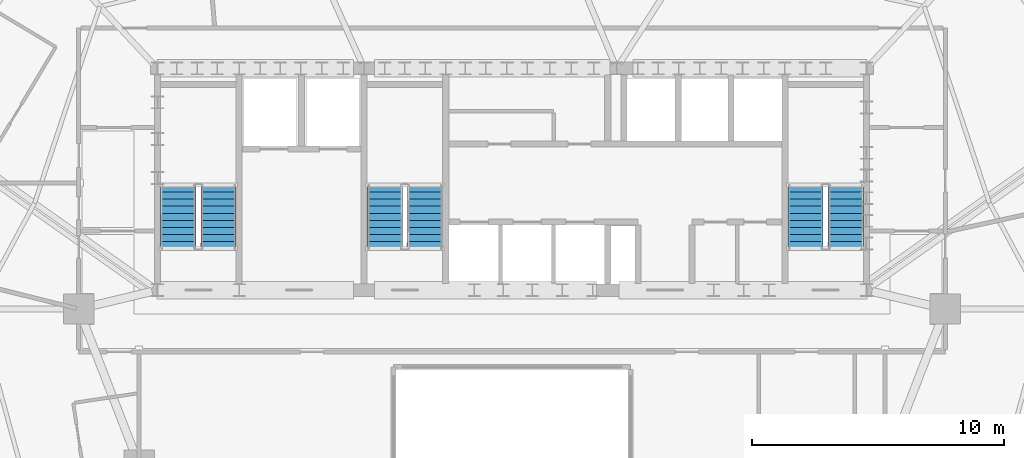
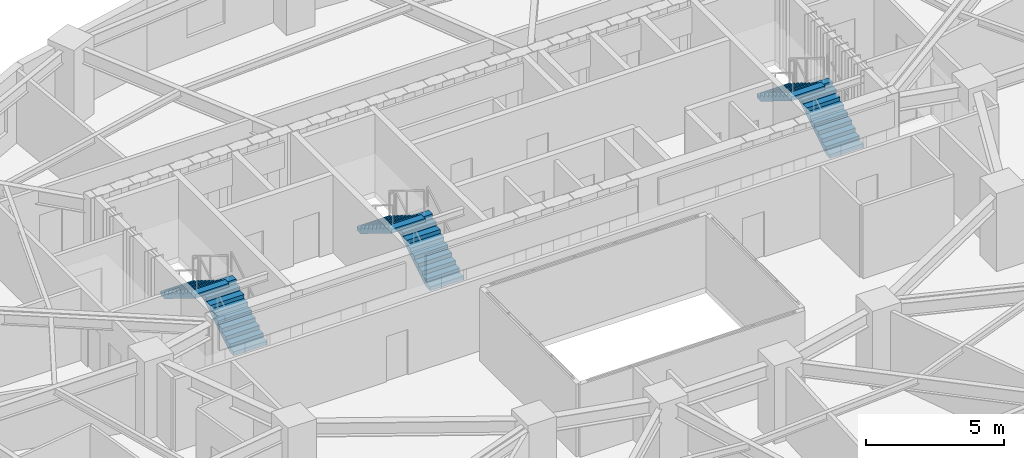
# One storey, part 9 of 12: 6 stair flights, 3 elements without a shape of their own.
"""IFC4 building model written with IfcOpenShell, lengths in metres."""

import ifcopenshell
import ifcopenshell.guid

model = None  # the IFC model being written
_history = None  # IfcOwnerHistory: only IFC2X3 demands one
_inside = {}  # id of a spatial element -> (the spatial element, [elements in it])
_under = {}  # id of a project, library or spatial element -> (it, [spatial elements below it])
_declared = {}  # id of a project -> (the project, [libraries it declares])
_typed = {}  # id of a type object -> (the type object, [elements of that type])
_made_of = {}  # id of a material, layer set ... -> (it, [elements and type objects made of it])


def new_model(schema):
    """Start an empty IFC model of exactly this schema.

    Asked for "IFC4X3", IfcOpenShell would pick the latest addendum, in which some entities
    have other attributes; the version numbers below select the first issue.
    IFC2X3 requires an IfcOwnerHistory on every rooted entity: one is made here for all.
    """
    global model, _history
    if schema == "IFC4X3":
        model = ifcopenshell.file(schema_version=(4, 3, 0, 0))
    else:
        model = ifcopenshell.file(schema=schema)
    _inside.clear()
    _under.clear()
    _declared.clear()
    _typed.clear()
    _made_of.clear()
    _history = None
    if model.schema == "IFC2X3":
        org = make("IfcOrganization", Name="unknown")
        user = make(
            "IfcPersonAndOrganization",
            ThePerson=make("IfcPerson", FamilyName="unknown"),
            TheOrganization=org,
        )
        app = make(
            "IfcApplication",
            ApplicationDeveloper=org,
            Version="unknown",
            ApplicationFullName="unknown",
            ApplicationIdentifier="unknown",
        )
        _history = make(
            "IfcOwnerHistory",
            OwningUser=user,
            OwningApplication=app,
            ChangeAction="ADDED",
            CreationDate=0,
        )
    return model


def make(cls, **values):
    """One entity of the class cls with the attributes given. An attribute that is None is left unset."""
    return model.create_entity(
        cls, **{name: value for name, value in values.items() if value is not None}
    )


def rooted(cls, **values):
    """An entity with a GlobalId (a new one), such as an element, a storey or a relation."""
    return make(cls, GlobalId=ifcopenshell.guid.new(), OwnerHistory=_history, **values)


def si_unit(unit_type, name, prefix=None):
    """IfcSIUnit, for example si_unit("LENGTHUNIT", "METRE", prefix="MILLI")."""
    return make("IfcSIUnit", UnitType=unit_type, Prefix=prefix, Name=name)


def assignment(units):
    """IfcUnitAssignment: the units of a project."""
    return None if units is None else make("IfcUnitAssignment", Units=units)


def point(xyz):
    """IfcCartesianPoint."""
    return None if xyz is None else make("IfcCartesianPoint", Coordinates=xyz)


def direction(xyz):
    """IfcDirection."""
    return None if xyz is None else make("IfcDirection", DirectionRatios=xyz)


def frame(location, z_axis=None, x_axis=None):
    """IfcAxis2Placement3D, a coordinate frame: its origin and axes. An axis left out is left unset."""
    return make(
        "IfcAxis2Placement3D",
        Location=point(location),
        Axis=direction(z_axis),
        RefDirection=direction(x_axis),
    )


def origin():
    """The frame at (0, 0, 0) with its axes left unset."""
    return frame((0.0, 0.0, 0.0))


def place(relative_to, where):
    """IfcLocalPlacement: puts the frame where relative to a parent placement (None: the world)."""
    return make(
        "IfcLocalPlacement", PlacementRelTo=relative_to, RelativePlacement=where
    )


def context(
    kind, dimensions, precision=None, world=None, true_north=None, identifier=None
):
    """IfcGeometricRepresentationContext, for example the 3D "Model" context."""
    return make(
        "IfcGeometricRepresentationContext",
        ContextIdentifier=identifier,
        ContextType=kind,
        CoordinateSpaceDimension=dimensions,
        Precision=precision,
        WorldCoordinateSystem=world,
        TrueNorth=true_north,
    )


def subcontext(parent, identifier, kind, view, scale=None):
    """IfcGeometricRepresentationSubContext, for example "Body" below "Model"."""
    return make(
        "IfcGeometricRepresentationSubContext",
        ContextIdentifier=identifier,
        ContextType=kind,
        ParentContext=parent,
        TargetScale=scale,
        TargetView=view,
    )


def project(units=None, contexts=None):
    """IfcProject with its units and contexts."""
    return rooted(
        "IfcProject",
        Name="project",
        RepresentationContexts=contexts,
        UnitsInContext=assignment(units),
    )


def spatial(cls, under=None, at=None, **own):
    """A site, building, storey or space (cls), placed at a placement, below another one or the project."""
    s = rooted(cls, ObjectPlacement=at, **own)
    if under is not None:
        _under.setdefault(under.id(), (under, []))[1].append(s)
    return s


def polyline(points):
    """IfcPolyline through the points."""
    return make("IfcPolyline", Points=[point(p) for p in points])


def outline(outer, holes=None, kind="AREA"):
    """IfcArbitraryClosedProfileDef: a profile drawn as a closed curve; with holes, ...WithVoids."""
    if holes is None:
        return make("IfcArbitraryClosedProfileDef", ProfileType=kind, OuterCurve=outer)
    return make(
        "IfcArbitraryProfileDefWithVoids",
        ProfileType=kind,
        OuterCurve=outer,
        InnerCurves=holes,
    )


def extrude(swept, where, along, depth):
    """IfcExtrudedAreaSolid: the profile swept, set in the frame where, extruded along a direction by depth."""
    return make(
        "IfcExtrudedAreaSolid",
        SweptArea=swept,
        Position=where,
        ExtrudedDirection=direction(along),
        Depth=depth,
    )


def shape(context_of_items, identifier, shape_type, items):
    """IfcShapeRepresentation: the items that make up one representation, for example the "Body"."""
    return make(
        "IfcShapeRepresentation",
        ContextOfItems=context_of_items,
        RepresentationIdentifier=identifier,
        RepresentationType=shape_type,
        Items=items,
    )


def material(Name=None, Category=None):
    """IfcMaterial."""
    return make("IfcMaterial", Name=Name, Category=Category)


def made_of(thing, what):
    """Note that an element or type object is made of a material, layer set ...; save() writes the relation."""
    if what is not None:
        _made_of.setdefault(what.id(), (what, []))[1].append(thing)
    return thing


def type_object(cls, material=None, **own):
    """A type object (cls), such as IfcWallType, which elements share."""
    return made_of(rooted(cls, **own), material)


def element(
    cls,
    number,
    at=None,
    inside=None,
    cuts=None,
    type_object=None,
    material=None,
    context=None,
    identifier="Body",
    shape_type=None,
    held_by="IfcProductDefinitionShape",
    body=None,
    shapes=None,
    **own,
):
    """One element of the class cls, such as IfcWall. Its Tag is "e" and its number.

    at: its placement. inside: the storey or other place that contains it. cuts: it is an
    opening in that element (IfcRelVoidsElement). A single representation is given by context,
    identifier, shape_type and body (its items); several are given by shapes. held_by: the class
    of the entity that holds the representations. save() writes the other relations.
    """
    e = rooted(cls, Tag="e%d" % number, ObjectPlacement=at, **own)
    if body is not None:
        shapes = [shape(context, identifier, shape_type, body)]
    if shapes is not None:
        e.Representation = make(held_by, Representations=shapes)
    if inside is not None:
        _inside.setdefault(inside.id(), (inside, []))[1].append(e)
    if cuts is not None:
        rooted(
            "IfcRelVoidsElement", RelatingBuildingElement=cuts, RelatedOpeningElement=e
        )
    if type_object is not None:
        _typed.setdefault(type_object.id(), (type_object, []))[1].append(e)
    return made_of(e, material)


def aggregate(whole, parts):
    """IfcRelAggregates: a whole, such as a stair, and the parts it consists of."""
    return rooted("IfcRelAggregates", RelatingObject=whole, RelatedObjects=parts)


def save(model, path):
    """Write the relations noted so far, then the file.

    IfcRelAggregates (storeys below a building ...), IfcRelContainedInSpatialStructure (elements
    in a storey), IfcRelDefinesByType, IfcRelAssociatesMaterial and IfcRelDeclares: one each for
    every whole, place, type object, material and project.
    """
    for whole, parts in _under.values():
        aggregate(whole, parts)
    for where, things in _inside.values():
        rooted(
            "IfcRelContainedInSpatialStructure",
            RelatedElements=things,
            RelatingStructure=where,
        )
    for kind, things in _typed.values():
        rooted("IfcRelDefinesByType", RelatedObjects=things, RelatingType=kind)
    for what, things in _made_of.values():
        rooted("IfcRelAssociatesMaterial", RelatedObjects=things, RelatingMaterial=what)
    for by, libraries in _declared.values():
        rooted("IfcRelDeclares", RelatingContext=by, RelatedDefinitions=libraries)
    model.write(path)


model = new_model("IFC4")

# Units and contexts
model_context = context("Model", 3, precision=1e-05, world=origin(), true_north=direction((0.0, 1.0)))
body_context = subcontext(model_context, "Body", "Model", "MODEL_VIEW")
ifc_project = project(units=[si_unit("LENGTHUNIT", "METRE"), si_unit("AREAUNIT", "SQUARE_METRE"), si_unit("VOLUMEUNIT", "CUBIC_METRE"), si_unit("PLANEANGLEUNIT", "RADIAN"), si_unit("MASSUNIT", "GRAM", prefix="KILO")], contexts=[model_context])

# Site, building, storey
site_placement = place(None, origin())
site = spatial("IfcSite", under=ifc_project, at=site_placement, CompositionType="ELEMENT")
building_placement = place(site_placement, origin())
building = spatial("IfcBuilding", under=site, at=building_placement, Name="Haldorwick Loom Tower", CompositionType="ELEMENT")
storey_placement = place(building_placement, frame((0.0, 0.0, 154.449951171875)))
storey = spatial("IfcBuildingStorey", under=building, at=storey_placement, Name="L41", CompositionType="ELEMENT", Elevation=154.449951171875)

# Stair, stair flights
ifc_material = material(Name="Concrete C40 (40 MPa)", Category="concrete")
stair_type = type_object("IfcStairType", Name="STR-STR-CORE", PredefinedType="HALF_TURN_STAIR", material=ifc_material)
stair_1_placement = place(storey_placement, origin())
stair_1 = element("IfcStair", 1, at=stair_1_placement, inside=storey, type_object=stair_type, Name="L41 Exit Stair ST-01", PredefinedType="HALF_TURN_STAIR")
stair_flight_type = type_object("IfcStairFlightType", Name="STR-STF-1250", PredefinedType="STRAIGHT", material=ifc_material)
stair_flight_1_placement = place(storey_placement, frame((24.35009765625, 28.39990234375, 0.0), z_axis=(0.0, 0.0, 1.0), x_axis=(0.0, 1.0, 0.0)))
stair_flight_1 = element("IfcStairFlight", 2, at=stair_flight_1_placement, type_object=stair_flight_type, Name="ST-01 flight 1", NumberOfRisers=10, NumberOfTreads=9, PredefinedType="STRAIGHT", RiserHeight=0.1725, TreadLength=0.28, context=body_context, shape_type="SweptSolid", body=[
    extrude(outline(polyline([(0.0, 0.0), (0.0, 0.172607421875), (0.280029296875, 0.172607421875), (0.280029296875, 0.344970703125), (0.56005859375, 0.344970703125), (0.56005859375, 0.517578125), (0.840087890625, 0.517578125), (0.840087890625, 0.68994140625), (1.1201171875, 0.68994140625), (1.1201171875, 0.862548828125), (1.39990234375, 0.862548828125), (1.39990234375, 1.034912109375), (1.679931640625, 1.034912109375), (1.679931640625, 1.20751953125), (1.9599609375, 1.20751953125), (1.9599609375, 1.3798828125), (2.239990234375, 1.3798828125), (2.239990234375, 1.552490234375), (2.52001953125, 1.552490234375), (2.52001953125, 1.72509765625), (2.52001953125, 1.37646484375), (0.285888671875, 0.0), (0.0, 0.0)])), frame((0.0, 0.699951171875, 0.0), z_axis=(0.0, -1.0, 0.0), x_axis=(1.0, 0.0, 0.0)), (0.0, 0.0, 1.0), 1.39990234375),
])
stair_flight_2_placement = place(storey_placement, frame((22.75, 30.919921875, 1.72509765625), z_axis=(0.0, 0.0, 1.0), x_axis=(0.0, -1.0, 0.0)))
stair_flight_2 = element("IfcStairFlight", 3, at=stair_flight_2_placement, type_object=stair_flight_type, Name="ST-01 flight 2", NumberOfRisers=10, NumberOfTreads=9, PredefinedType="STRAIGHT", RiserHeight=0.1725, TreadLength=0.28, context=body_context, shape_type="SweptSolid", body=[
    extrude(outline(polyline([(0.0, 0.0), (0.0, 0.172607421875), (0.280029296875, 0.172607421875), (0.280029296875, 0.344970703125), (0.56005859375, 0.344970703125), (0.56005859375, 0.517578125), (0.840087890625, 0.517578125), (0.840087890625, 0.68994140625), (1.1201171875, 0.68994140625), (1.1201171875, 0.862548828125), (1.39990234375, 0.862548828125), (1.39990234375, 1.034912109375), (1.679931640625, 1.034912109375), (1.679931640625, 1.20751953125), (1.9599609375, 1.20751953125), (1.9599609375, 1.3798828125), (2.239990234375, 1.3798828125), (2.239990234375, 1.552490234375), (2.52001953125, 1.552490234375), (2.52001953125, 1.72509765625), (2.52001953125, 1.37646484375), (0.285888671875, 0.0), (0.0, 0.0)])), frame((0.0, 0.699951171875, 0.0), z_axis=(0.0, -1.0, 0.0), x_axis=(1.0, 0.0, 0.0)), (0.0, 0.0, 1.0), 1.39990234375),
])
aggregate(stair_1, [stair_flight_1, stair_flight_2])

stair_2_placement = place(storey_placement, origin())
stair_2 = element("IfcStair", 4, at=stair_2_placement, inside=storey, type_object=stair_type, Name="L41 Exit Stair ST-02", PredefinedType="HALF_TURN_STAIR")
stair_flight_3_placement = place(storey_placement, frame((49.25, 28.39990234375, 0.0), z_axis=(0.0, 0.0, 1.0), x_axis=(0.0, 1.0, 0.0)))
stair_flight_3 = element("IfcStairFlight", 5, at=stair_flight_3_placement, type_object=stair_flight_type, Name="ST-02 flight 1", NumberOfRisers=10, NumberOfTreads=9, PredefinedType="STRAIGHT", RiserHeight=0.1725, TreadLength=0.28, context=body_context, shape_type="SweptSolid", body=[
    extrude(outline(polyline([(0.0, 0.0), (0.0, 0.172607421875), (0.280029296875, 0.172607421875), (0.280029296875, 0.344970703125), (0.56005859375, 0.344970703125), (0.56005859375, 0.517578125), (0.840087890625, 0.517578125), (0.840087890625, 0.68994140625), (1.1201171875, 0.68994140625), (1.1201171875, 0.862548828125), (1.39990234375, 0.862548828125), (1.39990234375, 1.034912109375), (1.679931640625, 1.034912109375), (1.679931640625, 1.20751953125), (1.9599609375, 1.20751953125), (1.9599609375, 1.3798828125), (2.239990234375, 1.3798828125), (2.239990234375, 1.552490234375), (2.52001953125, 1.552490234375), (2.52001953125, 1.72509765625), (2.52001953125, 1.37646484375), (0.285888671875, 0.0), (0.0, 0.0)])), frame((0.0, 0.699951171875, 0.0), z_axis=(0.0, -1.0, 0.0), x_axis=(1.0, 0.0, 0.0)), (0.0, 0.0, 1.0), 1.39990234375),
])
stair_flight_4_placement = place(storey_placement, frame((47.64990234375, 30.919921875, 1.72509765625), z_axis=(0.0, 0.0, 1.0), x_axis=(0.0, -1.0, 0.0)))
stair_flight_4 = element("IfcStairFlight", 6, at=stair_flight_4_placement, type_object=stair_flight_type, Name="ST-02 flight 2", NumberOfRisers=10, NumberOfTreads=9, PredefinedType="STRAIGHT", RiserHeight=0.1725, TreadLength=0.28, context=body_context, shape_type="SweptSolid", body=[
    extrude(outline(polyline([(0.0, 0.0), (0.0, 0.172607421875), (0.280029296875, 0.172607421875), (0.280029296875, 0.344970703125), (0.56005859375, 0.344970703125), (0.56005859375, 0.517578125), (0.840087890625, 0.517578125), (0.840087890625, 0.68994140625), (1.1201171875, 0.68994140625), (1.1201171875, 0.862548828125), (1.39990234375, 0.862548828125), (1.39990234375, 1.034912109375), (1.679931640625, 1.034912109375), (1.679931640625, 1.20751953125), (1.9599609375, 1.20751953125), (1.9599609375, 1.3798828125), (2.239990234375, 1.3798828125), (2.239990234375, 1.552490234375), (2.52001953125, 1.552490234375), (2.52001953125, 1.72509765625), (2.52001953125, 1.37646484375), (0.285888671875, 0.0), (0.0, 0.0)])), frame((0.0, 0.699951171875, 0.0), z_axis=(0.0, -1.0, 0.0), x_axis=(1.0, 0.0, 0.0)), (0.0, 0.0, 1.0), 1.39990234375),
])
aggregate(stair_2, [stair_flight_3, stair_flight_4])

stair_3_placement = place(storey_placement, origin())
stair_3 = element("IfcStair", 7, at=stair_3_placement, inside=storey, type_object=stair_type, Name="L41 Exit Stair ST-03", PredefinedType="HALF_TURN_STAIR")
stair_flight_5_placement = place(storey_placement, frame((32.550048828125, 28.39990234375, 0.0), z_axis=(0.0, 0.0, 1.0), x_axis=(0.0, 1.0, 0.0)))
stair_flight_5 = element("IfcStairFlight", 8, at=stair_flight_5_placement, type_object=stair_flight_type, Name="ST-03 flight 1", NumberOfRisers=10, NumberOfTreads=9, PredefinedType="STRAIGHT", RiserHeight=0.1725, TreadLength=0.28, context=body_context, shape_type="SweptSolid", body=[
    extrude(outline(polyline([(0.0, 0.0), (0.0, 0.172607421875), (0.280029296875, 0.172607421875), (0.280029296875, 0.344970703125), (0.56005859375, 0.344970703125), (0.56005859375, 0.517578125), (0.840087890625, 0.517578125), (0.840087890625, 0.68994140625), (1.1201171875, 0.68994140625), (1.1201171875, 0.862548828125), (1.39990234375, 0.862548828125), (1.39990234375, 1.034912109375), (1.679931640625, 1.034912109375), (1.679931640625, 1.20751953125), (1.9599609375, 1.20751953125), (1.9599609375, 1.3798828125), (2.239990234375, 1.3798828125), (2.239990234375, 1.552490234375), (2.52001953125, 1.552490234375), (2.52001953125, 1.72509765625), (2.52001953125, 1.37646484375), (0.285888671875, 0.0), (0.0, 0.0)])), frame((0.0, 0.699951171875, 0.0), z_axis=(0.0, -1.0, 0.0), x_axis=(1.0, 0.0, 0.0)), (0.0, 0.0, 1.0), 1.39990234375),
])
stair_flight_6_placement = place(storey_placement, frame((30.949951171875, 30.919921875, 1.72509765625), z_axis=(0.0, 0.0, 1.0), x_axis=(0.0, -1.0, 0.0)))
stair_flight_6 = element("IfcStairFlight", 9, at=stair_flight_6_placement, type_object=stair_flight_type, Name="ST-03 flight 2", NumberOfRisers=10, NumberOfTreads=9, PredefinedType="STRAIGHT", RiserHeight=0.1725, TreadLength=0.28, context=body_context, shape_type="SweptSolid", body=[
    extrude(outline(polyline([(0.0, 0.0), (0.0, 0.172607421875), (0.280029296875, 0.172607421875), (0.280029296875, 0.344970703125), (0.56005859375, 0.344970703125), (0.56005859375, 0.517578125), (0.840087890625, 0.517578125), (0.840087890625, 0.68994140625), (1.1201171875, 0.68994140625), (1.1201171875, 0.862548828125), (1.39990234375, 0.862548828125), (1.39990234375, 1.034912109375), (1.679931640625, 1.034912109375), (1.679931640625, 1.20751953125), (1.9599609375, 1.20751953125), (1.9599609375, 1.3798828125), (2.239990234375, 1.3798828125), (2.239990234375, 1.552490234375), (2.52001953125, 1.552490234375), (2.52001953125, 1.72509765625), (2.52001953125, 1.37646484375), (0.285888671875, 0.0), (0.0, 0.0)])), frame((0.0, 0.699951171875, 0.0), z_axis=(0.0, -1.0, 0.0), x_axis=(1.0, 0.0, 0.0)), (0.0, 0.0, 1.0), 1.39990234375),
])
aggregate(stair_3, [stair_flight_5, stair_flight_6])

save(model, "model.ifc")
